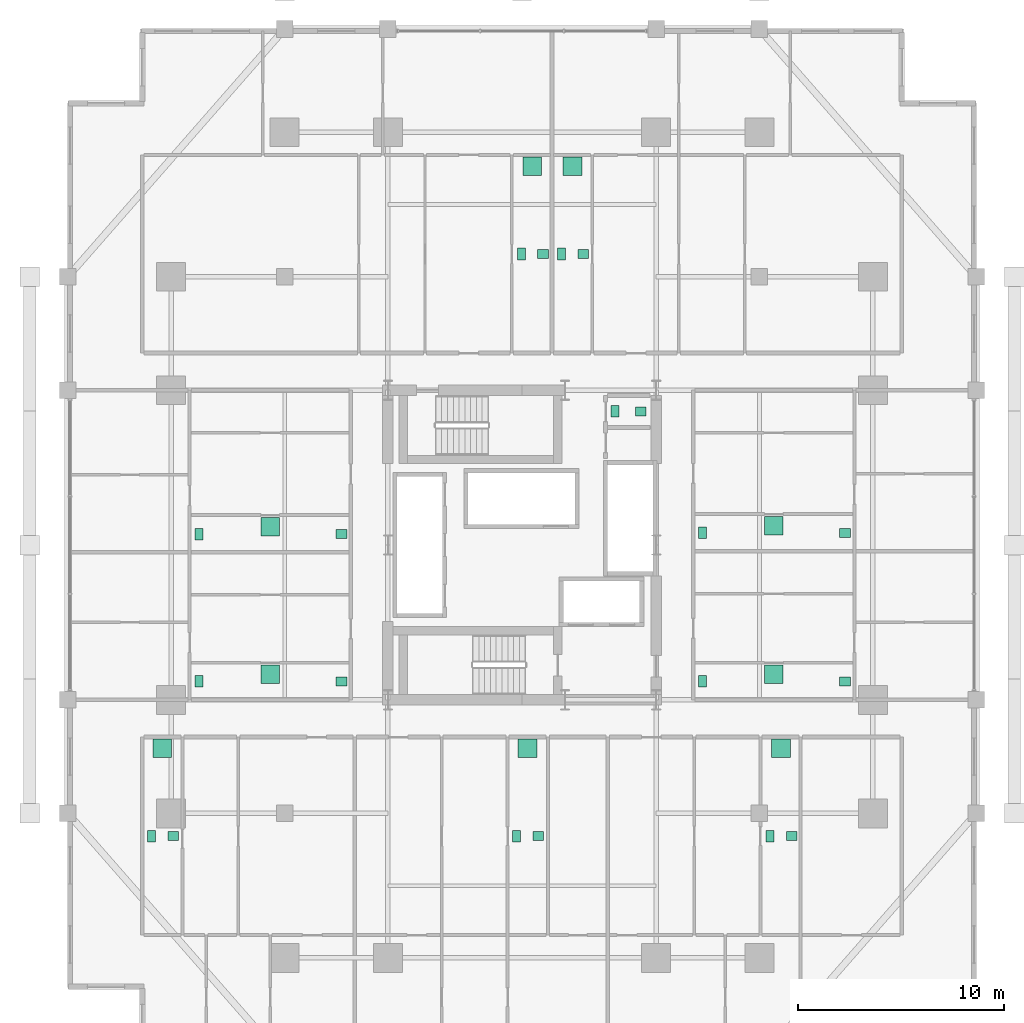
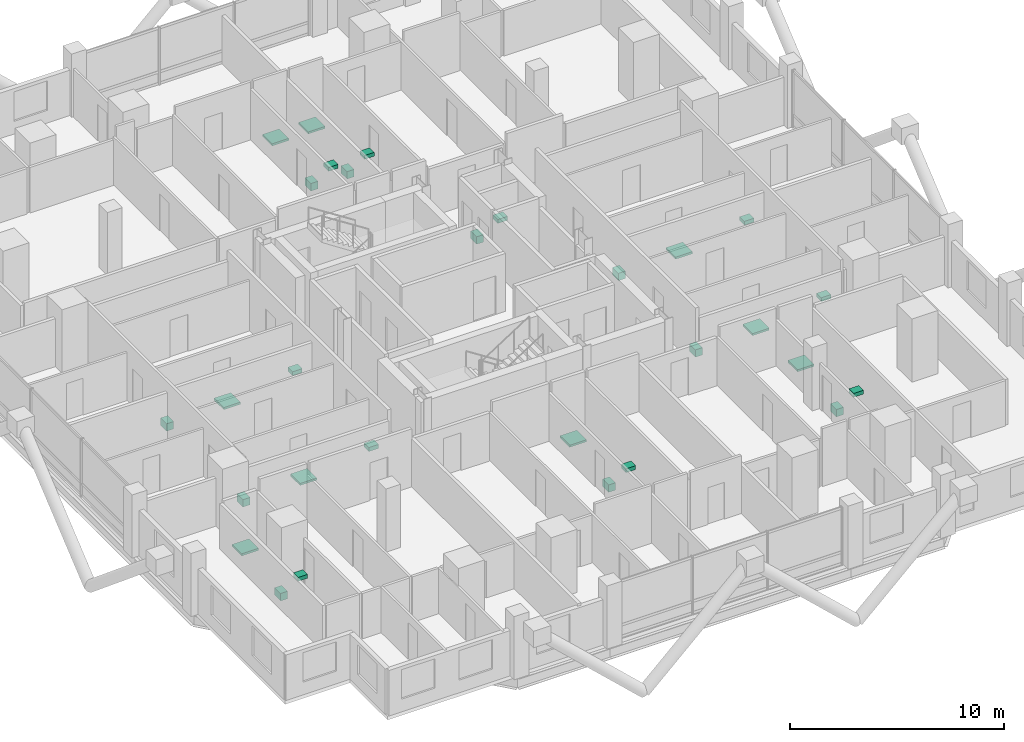
# One storey, part 24 of 24: 29 sanitary terminals.
"""IFC4 building model written with IfcOpenShell, lengths in metres."""

from ifc_helpers import new_model, si_unit, direction, frame, origin, origin_2d, place, context, subcontext, project, spatial, rectangle, extrude, material, type_object, element, save


model = new_model("IFC4")

# Units and contexts
model_context = context("Model", 3, precision=1e-05, world=origin(), true_north=direction((0.0, 1.0)))
body_context = subcontext(model_context, "Body", "Model", "MODEL_VIEW")
ifc_project = project(units=[si_unit("LENGTHUNIT", "METRE"), si_unit("AREAUNIT", "SQUARE_METRE"), si_unit("VOLUMEUNIT", "CUBIC_METRE"), si_unit("PLANEANGLEUNIT", "RADIAN"), si_unit("MASSUNIT", "GRAM", prefix="KILO")], contexts=[model_context])

# Site, building, storey
site_placement = place(None, origin())
site = spatial("IfcSite", under=ifc_project, at=site_placement, CompositionType="ELEMENT")
building_placement = place(site_placement, origin())
building = spatial("IfcBuilding", under=site, at=building_placement, Name="Barlavira Tower and Art Museum", CompositionType="ELEMENT")
storey_placement = place(building_placement, frame((0.0, 0.0, 90.0)))
storey = spatial("IfcBuildingStorey", under=building, at=storey_placement, Name="L22", CompositionType="ELEMENT", Elevation=90.0)

# Sanitary terminals
ifc_material = material(Name="Vitreous glazed ceramic", Category="ceramic")
sanitary_terminal_type_1 = type_object("IfcSanitaryTerminalType", Name="Countertop Ceramic Wash Hand Basin", PredefinedType="WASHHANDBASIN", material=ifc_material)
for number, where, z_axis, x_axis, name in (
    (1, (5.75, 6.47509765625, 0.740234375), (0.0, 0.0, 1.0), (1.0, 0.0, 0.0), "L22-C-WC1 Wash Basin"),
    (2, (-16.89990234375, -14.10009765625, 0.740234375), (0.0, 0.0, 1.0), (1.0, 0.0, 0.0), "L22-S1-BTH1 Wash Basin"),
    (3, (0.7900390625, -14.10009765625, 0.740234375), (0.0, 0.0, 1.0), (1.0, 0.0, 0.0), "L22-S2-BTH1 Wash Basin"),
    (4, (13.070068359375, -14.10009765625, 0.740234375), (0.0, 0.0, 1.0), (1.0, 0.0, 0.0), "L22-S3-BTH1 Wash Basin"),
    (5, (1.02001953125, 14.10009765625, 0.740234375), (0.0, 0.0, 1.0), (1.0, 0.0, 0.0), "L22-N1-BTH1 Wash Basin"),
    (6, (2.969970703125, 14.10009765625, 0.740234375), (0.0, 0.0, 1.0), (1.0, 0.0, 0.0), "L22-N2-BTH1 Wash Basin"),
    (7, (-8.75, -6.60009765625, 0.740234375), (0.0, 0.0, 1.0), (1.0, 0.0, 0.0), "L22-W1-BTH1 Wash Basin"),
    (8, (-8.75, 0.530029296875, 0.740234375), (0.0, 0.0, 1.0), (1.0, 0.0, 0.0), "L22-W2-BTH1 Wash Basin"),
    (9, (15.64990234375, -6.60009765625, 0.740234375), (0.0, 0.0, 1.0), (1.0, 0.0, 0.0), "L22-E1-BTH1 Wash Basin"),
    (10, (15.64990234375, 0.590087890625, 0.740234375), (0.0, 0.0, 1.0), (1.0, 0.0, 0.0), "L22-E2-BTH1 Wash Basin"),
):
    element("IfcSanitaryTerminal", number, at=place(storey_placement, frame(where, z_axis=z_axis, x_axis=x_axis)), inside=storey, type_object=sanitary_terminal_type_1, Name=name, PredefinedType="WASHHANDBASIN", context=body_context, shape_type="SweptSolid", body=[
        extrude(rectangle(XDim=0.52001953125, YDim=0.43994140625, at=origin_2d()), origin(), (0.0, 0.0, 1.0), 0.219970703125),
    ])
sanitary_terminal_type_2 = type_object("IfcSanitaryTerminalType", Name="Walk-In Thermostatic Rain Shower Unit", PredefinedType="SHOWER", material=ifc_material)
for number, where, z_axis, x_axis, name in (
    (11, (-17.425048828125, -9.85009765625, 0.0), (0.0, 0.0, 1.0), (1.0, 0.0, 0.0), "L22-S1-BTH1 Rain Shower"),
    (12, (0.264892578125, -9.85009765625, 0.0), (0.0, 0.0, 1.0), (1.0, 0.0, 0.0), "L22-S2-BTH1 Rain Shower"),
    (13, (12.544921875, -9.85009765625, 0.0), (0.0, 0.0, 1.0), (1.0, 0.0, 0.0), "L22-S3-BTH1 Rain Shower"),
    (14, (0.4951171875, 18.35009765625, 0.0), (0.0, 0.0, 1.0), (1.0, 0.0, 0.0), "L22-N1-BTH1 Rain Shower"),
    (15, (2.445068359375, 18.35009765625, 0.0), (0.0, 0.0, 1.0), (1.0, 0.0, 0.0), "L22-N2-BTH1 Rain Shower"),
    (16, (-12.199951171875, -6.25, 0.0), (0.0, 0.0, 1.0), (1.0, 0.0, 0.0), "L22-W1-BTH1 Rain Shower"),
    (17, (-12.199951171875, 0.8798828125, 0.0), (0.0, 0.0, 1.0), (1.0, 0.0, 0.0), "L22-W2-BTH1 Rain Shower"),
    (18, (12.199951171875, -6.25, 0.0), (0.0, 0.0, 1.0), (1.0, 0.0, 0.0), "L22-E1-BTH1 Rain Shower"),
    (19, (12.199951171875, 0.93994140625, 0.0), (0.0, 0.0, 1.0), (1.0, 0.0, 0.0), "L22-E2-BTH1 Rain Shower"),
):
    element("IfcSanitaryTerminal", number, at=place(storey_placement, frame(where, z_axis=z_axis, x_axis=x_axis)), inside=storey, type_object=sanitary_terminal_type_2, Name=name, PredefinedType="SHOWER", context=body_context, shape_type="SweptSolid", body=[
        extrude(rectangle(XDim=0.89990234375, YDim=0.89990234375, at=origin_2d()), origin(), (0.0, 0.0, 1.0), 0.1201171875),
    ])
sanitary_terminal_type_3 = type_object("IfcSanitaryTerminalType", Name="Wall-Hung Dual-Flush Vitreous WC Pan", PredefinedType="TOILETPAN", material=ifc_material)
for number, where, z_axis, x_axis, name in (
    (20, (4.5, 6.47509765625, 0.0), (0.0, 0.0, 1.0), (1.0, 0.0, 0.0), "L22-C-WC1 WC Pan"),
    (21, (-17.949951171875, -14.10009765625, 0.0), (0.0, 0.0, 1.0), (1.0, 0.0, 0.0), "L22-S1-BTH1 WC Pan"),
    (22, (-0.260009765625, -14.10009765625, 0.0), (0.0, 0.0, 1.0), (1.0, 0.0, 0.0), "L22-S2-BTH1 WC Pan"),
    (23, (12.02001953125, -14.10009765625, 0.0), (0.0, 0.0, 1.0), (1.0, 0.0, 0.0), "L22-S3-BTH1 WC Pan"),
    (24, (-0.030029296875, 14.10009765625, 0.0), (0.0, 0.0, 1.0), (1.0, 0.0, 0.0), "L22-N1-BTH1 WC Pan"),
    (25, (1.919921875, 14.10009765625, 0.0), (0.0, 0.0, 1.0), (1.0, 0.0, 0.0), "L22-N2-BTH1 WC Pan"),
    (26, (-15.64990234375, -6.60009765625, 0.0), (0.0, 0.0, 1.0), (1.0, 0.0, 0.0), "L22-W1-BTH1 WC Pan"),
    (27, (-15.64990234375, 0.530029296875, 0.0), (0.0, 0.0, 1.0), (1.0, 0.0, 0.0), "L22-W2-BTH1 WC Pan"),
    (28, (8.75, -6.60009765625, 0.0), (0.0, 0.0, 1.0), (1.0, 0.0, 0.0), "L22-E1-BTH1 WC Pan"),
    (29, (8.75, 0.590087890625, 0.0), (0.0, 0.0, 1.0), (1.0, 0.0, 0.0), "L22-E2-BTH1 WC Pan"),
):
    element("IfcSanitaryTerminal", number, at=place(storey_placement, frame(where, z_axis=z_axis, x_axis=x_axis)), inside=storey, type_object=sanitary_terminal_type_3, Name=name, PredefinedType="TOILETPAN", context=body_context, shape_type="SweptSolid", body=[
        extrude(rectangle(XDim=0.3798828125, YDim=0.56005859375, at=origin_2d()), origin(), (0.0, 0.0, 1.0), 0.419921875),
    ])

save(model, "model.ifc")
